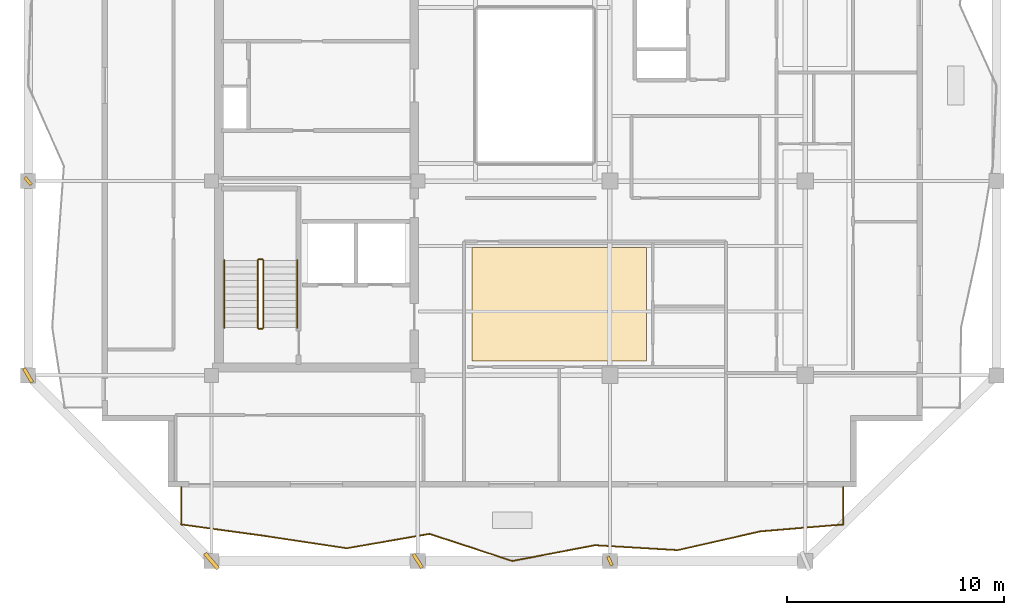
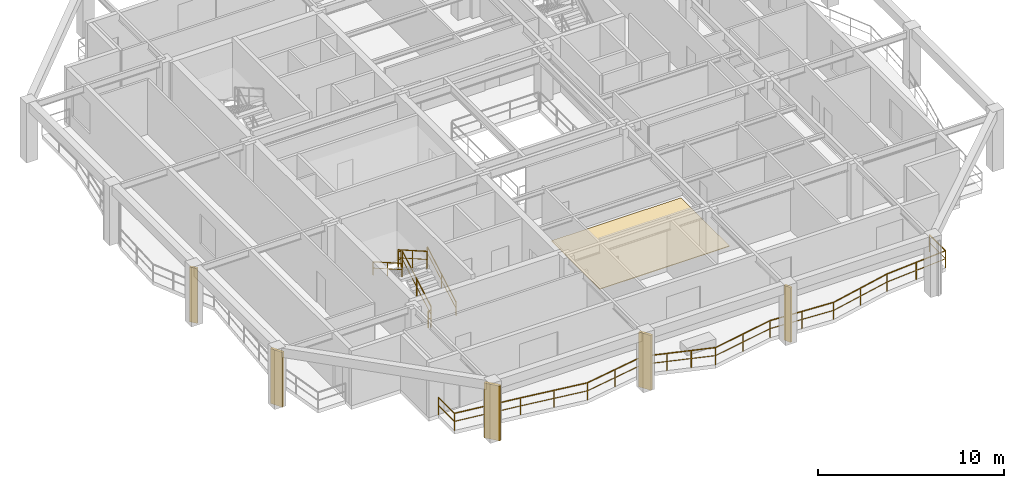
# One storey, part 7 of 10: 7 railings, 5 shading devices, 1 covering.
"""IFC4 building model written with IfcOpenShell, lengths in metres."""

import ifcopenshell
import ifcopenshell.guid

model = None  # the IFC model being written
_history = None  # IfcOwnerHistory: only IFC2X3 demands one
_inside = {}  # id of a spatial element -> (the spatial element, [elements in it])
_under = {}  # id of a project, library or spatial element -> (it, [spatial elements below it])
_declared = {}  # id of a project -> (the project, [libraries it declares])
_typed = {}  # id of a type object -> (the type object, [elements of that type])
_made_of = {}  # id of a material, layer set ... -> (it, [elements and type objects made of it])


def new_model(schema):
    """Start an empty IFC model of exactly this schema.

    Asked for "IFC4X3", IfcOpenShell would pick the latest addendum, in which some entities
    have other attributes; the version numbers below select the first issue.
    IFC2X3 requires an IfcOwnerHistory on every rooted entity: one is made here for all.
    """
    global model, _history
    if schema == "IFC4X3":
        model = ifcopenshell.file(schema_version=(4, 3, 0, 0))
    else:
        model = ifcopenshell.file(schema=schema)
    _inside.clear()
    _under.clear()
    _declared.clear()
    _typed.clear()
    _made_of.clear()
    _history = None
    if model.schema == "IFC2X3":
        org = make("IfcOrganization", Name="unknown")
        user = make(
            "IfcPersonAndOrganization",
            ThePerson=make("IfcPerson", FamilyName="unknown"),
            TheOrganization=org,
        )
        app = make(
            "IfcApplication",
            ApplicationDeveloper=org,
            Version="unknown",
            ApplicationFullName="unknown",
            ApplicationIdentifier="unknown",
        )
        _history = make(
            "IfcOwnerHistory",
            OwningUser=user,
            OwningApplication=app,
            ChangeAction="ADDED",
            CreationDate=0,
        )
    return model


def make(cls, **values):
    """One entity of the class cls with the attributes given. An attribute that is None is left unset."""
    return model.create_entity(
        cls, **{name: value for name, value in values.items() if value is not None}
    )


def rooted(cls, **values):
    """An entity with a GlobalId (a new one), such as an element, a storey or a relation."""
    return make(cls, GlobalId=ifcopenshell.guid.new(), OwnerHistory=_history, **values)


def si_unit(unit_type, name, prefix=None):
    """IfcSIUnit, for example si_unit("LENGTHUNIT", "METRE", prefix="MILLI")."""
    return make("IfcSIUnit", UnitType=unit_type, Prefix=prefix, Name=name)


def assignment(units):
    """IfcUnitAssignment: the units of a project."""
    return None if units is None else make("IfcUnitAssignment", Units=units)


def point(xyz):
    """IfcCartesianPoint."""
    return None if xyz is None else make("IfcCartesianPoint", Coordinates=xyz)


def direction(xyz):
    """IfcDirection."""
    return None if xyz is None else make("IfcDirection", DirectionRatios=xyz)


def frame(location, z_axis=None, x_axis=None):
    """IfcAxis2Placement3D, a coordinate frame: its origin and axes. An axis left out is left unset."""
    return make(
        "IfcAxis2Placement3D",
        Location=point(location),
        Axis=direction(z_axis),
        RefDirection=direction(x_axis),
    )


def frame_2d(location, x_axis=None):
    """IfcAxis2Placement2D, a coordinate frame in the plane: its origin and x axis."""
    return make(
        "IfcAxis2Placement2D", Location=point(location), RefDirection=direction(x_axis)
    )


def origin():
    """The frame at (0, 0, 0) with its axes left unset."""
    return frame((0.0, 0.0, 0.0))


def origin_2d():
    """The frame at (0, 0) in the plane with its x axis left unset."""
    return frame_2d((0.0, 0.0))


def place(relative_to, where):
    """IfcLocalPlacement: puts the frame where relative to a parent placement (None: the world)."""
    return make(
        "IfcLocalPlacement", PlacementRelTo=relative_to, RelativePlacement=where
    )


def context(
    kind, dimensions, precision=None, world=None, true_north=None, identifier=None
):
    """IfcGeometricRepresentationContext, for example the 3D "Model" context."""
    return make(
        "IfcGeometricRepresentationContext",
        ContextIdentifier=identifier,
        ContextType=kind,
        CoordinateSpaceDimension=dimensions,
        Precision=precision,
        WorldCoordinateSystem=world,
        TrueNorth=true_north,
    )


def subcontext(parent, identifier, kind, view, scale=None):
    """IfcGeometricRepresentationSubContext, for example "Body" below "Model"."""
    return make(
        "IfcGeometricRepresentationSubContext",
        ContextIdentifier=identifier,
        ContextType=kind,
        ParentContext=parent,
        TargetScale=scale,
        TargetView=view,
    )


def project(units=None, contexts=None):
    """IfcProject with its units and contexts."""
    return rooted(
        "IfcProject",
        Name="project",
        RepresentationContexts=contexts,
        UnitsInContext=assignment(units),
    )


def spatial(cls, under=None, at=None, **own):
    """A site, building, storey or space (cls), placed at a placement, below another one or the project."""
    s = rooted(cls, ObjectPlacement=at, **own)
    if under is not None:
        _under.setdefault(under.id(), (under, []))[1].append(s)
    return s


def polyline(points):
    """IfcPolyline through the points."""
    return make("IfcPolyline", Points=[point(p) for p in points])


def profile(cls, at=None, kind="AREA", **sizes):
    """A parametric profile (cls). Its sizes go by their IFC names, for example OverallWidth=200.0."""
    return make(cls, ProfileType=kind, Position=at, **sizes)


def rectangle(**sizes):
    """IfcRectangleProfileDef."""
    return profile("IfcRectangleProfileDef", **sizes)


def outline(outer, holes=None, kind="AREA"):
    """IfcArbitraryClosedProfileDef: a profile drawn as a closed curve; with holes, ...WithVoids."""
    if holes is None:
        return make("IfcArbitraryClosedProfileDef", ProfileType=kind, OuterCurve=outer)
    return make(
        "IfcArbitraryProfileDefWithVoids",
        ProfileType=kind,
        OuterCurve=outer,
        InnerCurves=holes,
    )


def extrude(swept, where, along, depth):
    """IfcExtrudedAreaSolid: the profile swept, set in the frame where, extruded along a direction by depth."""
    return make(
        "IfcExtrudedAreaSolid",
        SweptArea=swept,
        Position=where,
        ExtrudedDirection=direction(along),
        Depth=depth,
    )


def shape(context_of_items, identifier, shape_type, items):
    """IfcShapeRepresentation: the items that make up one representation, for example the "Body"."""
    return make(
        "IfcShapeRepresentation",
        ContextOfItems=context_of_items,
        RepresentationIdentifier=identifier,
        RepresentationType=shape_type,
        Items=items,
    )


def material(Name=None, Category=None):
    """IfcMaterial."""
    return make("IfcMaterial", Name=Name, Category=Category)


def layer(
    of_material, thickness, ventilated=None, Name=None, Category=None, Priority=None
):
    """IfcMaterialLayer: one layer of a wall or slab, of a material (None: an air gap)."""
    return make(
        "IfcMaterialLayer",
        Material=of_material,
        LayerThickness=thickness,
        IsVentilated=ventilated,
        Name=Name,
        Category=Category,
        Priority=Priority,
    )


def layer_set(layers, Name=None):
    """IfcMaterialLayerSet."""
    return make("IfcMaterialLayerSet", MaterialLayers=layers, LayerSetName=Name)


def made_of(thing, what):
    """Note that an element or type object is made of a material, layer set ...; save() writes the relation."""
    if what is not None:
        _made_of.setdefault(what.id(), (what, []))[1].append(thing)
    return thing


def type_object(cls, material=None, **own):
    """A type object (cls), such as IfcWallType, which elements share."""
    return made_of(rooted(cls, **own), material)


def element(
    cls,
    number,
    at=None,
    inside=None,
    cuts=None,
    type_object=None,
    material=None,
    context=None,
    identifier="Body",
    shape_type=None,
    held_by="IfcProductDefinitionShape",
    body=None,
    shapes=None,
    **own,
):
    """One element of the class cls, such as IfcWall. Its Tag is "e" and its number.

    at: its placement. inside: the storey or other place that contains it. cuts: it is an
    opening in that element (IfcRelVoidsElement). A single representation is given by context,
    identifier, shape_type and body (its items); several are given by shapes. held_by: the class
    of the entity that holds the representations. save() writes the other relations.
    """
    e = rooted(cls, Tag="e%d" % number, ObjectPlacement=at, **own)
    if body is not None:
        shapes = [shape(context, identifier, shape_type, body)]
    if shapes is not None:
        e.Representation = make(held_by, Representations=shapes)
    if inside is not None:
        _inside.setdefault(inside.id(), (inside, []))[1].append(e)
    if cuts is not None:
        rooted(
            "IfcRelVoidsElement", RelatingBuildingElement=cuts, RelatedOpeningElement=e
        )
    if type_object is not None:
        _typed.setdefault(type_object.id(), (type_object, []))[1].append(e)
    return made_of(e, material)


def aggregate(whole, parts):
    """IfcRelAggregates: a whole, such as a stair, and the parts it consists of."""
    return rooted("IfcRelAggregates", RelatingObject=whole, RelatedObjects=parts)


def save(model, path):
    """Write the relations noted so far, then the file.

    IfcRelAggregates (storeys below a building ...), IfcRelContainedInSpatialStructure (elements
    in a storey), IfcRelDefinesByType, IfcRelAssociatesMaterial and IfcRelDeclares: one each for
    every whole, place, type object, material and project.
    """
    for whole, parts in _under.values():
        aggregate(whole, parts)
    for where, things in _inside.values():
        rooted(
            "IfcRelContainedInSpatialStructure",
            RelatedElements=things,
            RelatingStructure=where,
        )
    for kind, things in _typed.values():
        rooted("IfcRelDefinesByType", RelatedObjects=things, RelatingType=kind)
    for what, things in _made_of.values():
        rooted("IfcRelAssociatesMaterial", RelatedObjects=things, RelatingMaterial=what)
    for by, libraries in _declared.values():
        rooted("IfcRelDeclares", RelatingContext=by, RelatedDefinitions=libraries)
    model.write(path)


model = new_model("IFC4")

# Units and contexts
model_context = context("Model", 3, precision=1e-05, world=origin(), true_north=direction((0.0, 1.0)))
body_context = subcontext(model_context, "Body", "Model", "MODEL_VIEW")
ifc_project = project(units=[si_unit("LENGTHUNIT", "METRE"), si_unit("AREAUNIT", "SQUARE_METRE"), si_unit("VOLUMEUNIT", "CUBIC_METRE"), si_unit("PLANEANGLEUNIT", "RADIAN"), si_unit("MASSUNIT", "GRAM", prefix="KILO")], contexts=[model_context])

# Site, building, storey
site_placement = place(None, origin())
site = spatial("IfcSite", under=ifc_project, at=site_placement, CompositionType="ELEMENT")
building_placement = place(site_placement, origin())
building = spatial("IfcBuilding", under=site, at=building_placement, Name="Kundavana Baori Tower", CompositionType="ELEMENT")
storey_placement = place(building_placement, frame((0.0, 0.0, 303.800048828125)))
storey = spatial("IfcBuildingStorey", under=building, at=storey_placement, Name="L75", CompositionType="ELEMENT", Elevation=303.800048828125)

# Covering
ifc_material_1 = material(Name="Honed Kota Stone and Terrazzo Flooring", Category="masonry")
ifc_layer = layer(ifc_material_1, 0.0400390625, Name="COV-FLR-TERR-40")
ifc_layer_set = layer_set([ifc_layer], Name="Honed Kota Stone and Terrazzo Flooring")
covering_type = type_object("IfcCoveringType", Name="COV-FLR-TERR-40", PredefinedType="FLOORING", material=ifc_layer_set)
covering_placement = place(storey_placement, origin())
element("IfcCovering", 1, at=covering_placement, inside=storey, type_object=covering_type, Name="L75 Room Finished Stone Flooring 1", PredefinedType="FLOORING", context=body_context, shape_type="SweptSolid", body=[
    extrude(outline(polyline([(27.43994140625, 15.919921875), (35.489990234375, 15.919921875), (35.489990234375, 21.139892578125), (27.43994140625, 21.139892578125), (27.43994140625, 15.919921875)])), origin(), (0.0, 0.0, 1.0), 0.0400390625),
])

# Railings
ifc_material_2 = material(Name="Architectural Patinated Bronze Metalwork")
railing_type_1 = type_object("IfcRailingType", Name="RL-BAL-1150", PredefinedType="BALUSTRADE", material=ifc_material_2)
railing_1_placement = place(storey_placement, frame((44.550048828125, 10.10009765625, 0.0)))
element("IfcRailing", 2, at=railing_1_placement, inside=storey, type_object=railing_type_1, Name="L75 Loggia Balcony Balustrade S", PredefinedType="BALUSTRADE", context=body_context, shape_type="SweptSolid", body=[
    extrude(rectangle(XDim=0.048095703125, YDim=0.048095703125, at=origin_2d()), frame((0.0, 0.0, 1.1259765625), z_axis=(0.0, -1.0, 0.0), x_axis=(1.0, 0.0, 0.0)), (0.0, 0.0, 1.0), 1.72021484375),
    extrude(rectangle(XDim=0.03125, YDim=0.03125, at=origin_2d()), frame((0.0, 0.0, 0.597900390625), z_axis=(0.0, -1.0, 0.0), x_axis=(1.0, 0.0, 0.0)), (0.0, 0.0, 1.0), 1.72021484375),
    extrude(rectangle(XDim=0.048095703125, YDim=0.048095703125, at=origin_2d()), frame((0.0, -1.72021484375, 1.1259765625), z_axis=(-0.996564216083, -0.08282368757, 0.0), x_axis=(0.08282368757, -0.996564216083, 0.0)), (0.0, 0.0, 1.0), 3.826171875),
    extrude(rectangle(XDim=0.03125, YDim=0.03125, at=origin_2d()), frame((0.0, -1.72021484375, 0.597900390625), z_axis=(-0.996564216083, -0.08282368757, 0.0), x_axis=(0.08282368757, -0.996564216083, 0.0)), (0.0, 0.0, 1.0), 3.826171875),
    extrude(rectangle(XDim=0.048095703125, YDim=0.048095703125, at=origin_2d()), frame((-3.81298828125, -2.037109375, 1.1259765625), z_axis=(-0.975154936802, -0.221523924737, 0.0), x_axis=(0.221523924737, -0.975154936802, 0.0)), (0.0, 0.0, 1.0), 3.9091796875),
    extrude(rectangle(XDim=0.03125, YDim=0.03125, at=origin_2d()), frame((-3.81298828125, -2.037109375, 0.597900390625), z_axis=(-0.975154936802, -0.221523924737, 0.0), x_axis=(0.221523924737, -0.975154936802, 0.0)), (0.0, 0.0, 1.0), 3.9091796875),
    extrude(rectangle(XDim=0.048095703125, YDim=0.048095703125, at=origin_2d()), frame((-7.625, -2.903076171875, 1.1259765625), z_axis=(-0.998246935271, 0.059186621979, 0.0), x_axis=(-0.059186621979, -0.998246935271, 0.0)), (0.0, 0.0, 1.0), 3.819580078125),
    extrude(rectangle(XDim=0.03125, YDim=0.03125, at=origin_2d()), frame((-7.625, -2.903076171875, 0.597900390625), z_axis=(-0.998246935271, 0.059186621979, 0.0), x_axis=(-0.059186621979, -0.998246935271, 0.0)), (0.0, 0.0, 1.0), 3.819580078125),
    extrude(rectangle(XDim=0.048095703125, YDim=0.048095703125, at=origin_2d()), frame((-11.43798828125, -2.677001953125, 1.1259765625), z_axis=(-0.98247818175, -0.186377633812, 0.0), x_axis=(0.186377633812, -0.98247818175, 0.0)), (0.0, 0.0, 1.0), 3.8798828125),
    extrude(rectangle(XDim=0.03125, YDim=0.03125, at=origin_2d()), frame((-11.43798828125, -2.677001953125, 0.597900390625), z_axis=(-0.98247818175, -0.186377633812, 0.0), x_axis=(0.186377633812, -0.98247818175, 0.0)), (0.0, 0.0, 1.0), 3.8798828125),
    extrude(rectangle(XDim=0.048095703125, YDim=0.048095703125, at=origin_2d()), frame((-15.25, -3.400146484375, 1.1259765625), z_axis=(-0.950601058119, 0.310415251403, 0.0), x_axis=(-0.310415251403, -0.950601058119, 0.0)), (0.0, 0.0, 1.0), 4.01123046875),
    extrude(rectangle(XDim=0.03125, YDim=0.03125, at=origin_2d()), frame((-15.25, -3.400146484375, 0.597900390625), z_axis=(-0.950601058119, 0.310415251403, 0.0), x_axis=(-0.310415251403, -0.950601058119, 0.0)), (0.0, 0.0, 1.0), 4.01123046875),
    extrude(rectangle(XDim=0.048095703125, YDim=0.048095703125, at=origin_2d()), frame((-19.06298828125, -2.155029296875, 1.1259765625), z_axis=(-0.985291308729, -0.170883109007, 0.0), x_axis=(0.170883109007, -0.985291308729, 0.0)), (0.0, 0.0, 1.0), 3.868896484375),
    extrude(rectangle(XDim=0.03125, YDim=0.03125, at=origin_2d()), frame((-19.06298828125, -2.155029296875, 0.597900390625), z_axis=(-0.985291308729, -0.170883109007, 0.0), x_axis=(0.170883109007, -0.985291308729, 0.0)), (0.0, 0.0, 1.0), 3.868896484375),
    extrude(rectangle(XDim=0.048095703125, YDim=0.048095703125, at=origin_2d()), frame((-22.875, -2.816162109375, 1.1259765625), z_axis=(-0.988853512519, 0.148891674647, 0.0), x_axis=(-0.148891674647, -0.988853512519, 0.0)), (0.0, 0.0, 1.0), 3.85498046875),
    extrude(rectangle(XDim=0.03125, YDim=0.03125, at=origin_2d()), frame((-22.875, -2.816162109375, 0.597900390625), z_axis=(-0.988853512519, 0.148891674647, 0.0), x_axis=(-0.148891674647, -0.988853512519, 0.0)), (0.0, 0.0, 1.0), 3.85498046875),
    extrude(rectangle(XDim=0.048095703125, YDim=0.048095703125, at=origin_2d()), frame((-26.68701171875, -2.2421875, 1.1259765625), z_axis=(-0.990759777242, 0.135628403364, 0.0), x_axis=(-0.135628403364, -0.990759777242, 0.0)), (0.0, 0.0, 1.0), 3.8486328125),
    extrude(rectangle(XDim=0.03125, YDim=0.03125, at=origin_2d()), frame((-26.68701171875, -2.2421875, 0.597900390625), z_axis=(-0.990759777242, 0.135628403364, 0.0), x_axis=(-0.135628403364, -0.990759777242, 0.0)), (0.0, 0.0, 1.0), 3.8486328125),
    extrude(rectangle(XDim=0.048095703125, YDim=0.048095703125, at=origin_2d()), frame((-30.5, -1.72021484375, 1.1259765625), z_axis=(0.0, 1.0, 0.0), x_axis=(-1.0, 0.0, 0.0)), (0.0, 0.0, 1.0), 1.72021484375),
    extrude(rectangle(XDim=0.03125, YDim=0.03125, at=origin_2d()), frame((-30.5, -1.72021484375, 0.597900390625), z_axis=(0.0, 1.0, 0.0), x_axis=(-1.0, 0.0, 0.0)), (0.0, 0.0, 1.0), 1.72021484375),
    extrude(rectangle(XDim=0.0419921875, YDim=0.0419921875, at=origin_2d()), origin(), (0.0, 0.0, 1.0), 1.101806640625),
    extrude(rectangle(XDim=0.0419921875, YDim=0.0419921875, at=origin_2d()), frame((0.0, -1.72021484375, 0.0)), (0.0, 0.0, 1.0), 1.101806640625),
    extrude(rectangle(XDim=0.0419921875, YDim=0.0419921875, at=origin_2d()), frame((-1.906494140625, -1.878662109375, 0.0)), (0.0, 0.0, 1.0), 1.101806640625),
    extrude(rectangle(XDim=0.0419921875, YDim=0.0419921875, at=origin_2d()), frame((-3.81298828125, -2.037109375, 0.0)), (0.0, 0.0, 1.0), 1.101806640625),
    extrude(rectangle(XDim=0.0419921875, YDim=0.0419921875, at=origin_2d()), frame((-5.718994140625, -2.47021484375, 0.0)), (0.0, 0.0, 1.0), 1.101806640625),
    extrude(rectangle(XDim=0.0419921875, YDim=0.0419921875, at=origin_2d()), frame((-7.625, -2.903076171875, 0.0)), (0.0, 0.0, 1.0), 1.101806640625),
    extrude(rectangle(XDim=0.0419921875, YDim=0.0419921875, at=origin_2d()), frame((-9.531494140625, -2.7900390625, 0.0)), (0.0, 0.0, 1.0), 1.101806640625),
    extrude(rectangle(XDim=0.0419921875, YDim=0.0419921875, at=origin_2d()), frame((-11.43798828125, -2.677001953125, 0.0)), (0.0, 0.0, 1.0), 1.101806640625),
    extrude(rectangle(XDim=0.0419921875, YDim=0.0419921875, at=origin_2d()), frame((-13.343994140625, -3.03857421875, 0.0)), (0.0, 0.0, 1.0), 1.101806640625),
    extrude(rectangle(XDim=0.0419921875, YDim=0.0419921875, at=origin_2d()), frame((-15.25, -3.400146484375, 0.0)), (0.0, 0.0, 1.0), 1.101806640625),
    extrude(rectangle(XDim=0.0419921875, YDim=0.0419921875, at=origin_2d()), frame((-16.52099609375, -2.985107421875, 0.0)), (0.0, 0.0, 1.0), 1.101806640625),
    extrude(rectangle(XDim=0.0419921875, YDim=0.0419921875, at=origin_2d()), frame((-17.7919921875, -2.570068359375, 0.0)), (0.0, 0.0, 1.0), 1.101806640625),
    extrude(rectangle(XDim=0.0419921875, YDim=0.0419921875, at=origin_2d()), frame((-19.06298828125, -2.155029296875, 0.0)), (0.0, 0.0, 1.0), 1.101806640625),
    extrude(rectangle(XDim=0.0419921875, YDim=0.0419921875, at=origin_2d()), frame((-20.968994140625, -2.485595703125, 0.0)), (0.0, 0.0, 1.0), 1.101806640625),
    extrude(rectangle(XDim=0.0419921875, YDim=0.0419921875, at=origin_2d()), frame((-22.875, -2.816162109375, 0.0)), (0.0, 0.0, 1.0), 1.101806640625),
    extrude(rectangle(XDim=0.0419921875, YDim=0.0419921875, at=origin_2d()), frame((-24.781005859375, -2.529296875, 0.0)), (0.0, 0.0, 1.0), 1.101806640625),
    extrude(rectangle(XDim=0.0419921875, YDim=0.0419921875, at=origin_2d()), frame((-26.68701171875, -2.2421875, 0.0)), (0.0, 0.0, 1.0), 1.101806640625),
    extrude(rectangle(XDim=0.0419921875, YDim=0.0419921875, at=origin_2d()), frame((-28.593505859375, -1.981201171875, 0.0)), (0.0, 0.0, 1.0), 1.101806640625),
    extrude(rectangle(XDim=0.0419921875, YDim=0.0419921875, at=origin_2d()), frame((-30.5, -1.72021484375, 0.0)), (0.0, 0.0, 1.0), 1.101806640625),
    extrude(rectangle(XDim=0.0419921875, YDim=0.0419921875, at=origin_2d()), frame((-30.5, 0.0, 0.0)), (0.0, 0.0, 1.0), 1.101806640625),
])
ifc_material_3 = material(Name="Architectural Patinated Bronze Metalwork")
railing_type_2 = type_object("IfcRailingType", Name="RL-GRD-1150", PredefinedType="GUARDRAIL", material=ifc_material_3)
railing_2_placement = place(storey_placement, frame((17.840087890625, 17.449951171875, 0.17724609375)))
element("IfcRailing", 3, at=railing_2_placement, inside=storey, type_object=railing_type_2, Name="L75 ST1 stair guard 1", PredefinedType="GUARDRAIL", context=body_context, shape_type="SweptSolid", body=[
    extrude(rectangle(XDim=0.048095703125, YDim=0.048095703125, at=origin_2d()), frame((0.0, 0.0, 1.1259765625), z_axis=(0.0, 0.868095856688, 0.496396599103), x_axis=(-1.0, 0.0, 0.0)), (0.0, 0.0, 1.0), 3.571044921875),
    extrude(rectangle(XDim=0.03125, YDim=0.03125, at=origin_2d()), frame((0.0, 0.0, 0.597900390625), z_axis=(0.0, 0.868095856688, 0.496396599103), x_axis=(-1.0, 0.0, 0.0)), (0.0, 0.0, 1.0), 3.571044921875),
    extrude(rectangle(XDim=0.0419921875, YDim=0.0419921875, at=origin_2d()), origin(), (0.0, 0.0, 1.0), 1.101806640625),
    extrude(rectangle(XDim=0.0419921875, YDim=0.0419921875, at=origin_2d()), frame((0.0, 1.550048828125, 0.88623046875)), (0.0, 0.0, 1.0), 1.101806640625),
    extrude(rectangle(XDim=0.0419921875, YDim=0.0419921875, at=origin_2d()), frame((0.0, 3.10009765625, 1.772705078125)), (0.0, 0.0, 1.0), 1.101806640625),
])
railing_3_placement = place(storey_placement, frame((17.7900390625, 20.60009765625, 1.949951171875)))
element("IfcRailing", 4, at=railing_3_placement, inside=storey, type_object=railing_type_2, Name="L75 ST1 stair guard 2", PredefinedType="GUARDRAIL", context=body_context, shape_type="SweptSolid", body=[
    extrude(rectangle(XDim=0.048095703125, YDim=0.048095703125, at=origin_2d()), frame((0.0, 0.0, 1.1259765625), z_axis=(-1.0, 0.0, 0.0), x_axis=(0.0, -1.0, 0.0)), (0.0, 0.0, 1.0), 0.16015625),
    extrude(rectangle(XDim=0.03125, YDim=0.03125, at=origin_2d()), frame((0.0, 0.0, 0.597900390625), z_axis=(-1.0, 0.0, 0.0), x_axis=(0.0, -1.0, 0.0)), (0.0, 0.0, 1.0), 0.16015625),
    extrude(rectangle(XDim=0.0419921875, YDim=0.0419921875, at=origin_2d()), origin(), (0.0, 0.0, 1.0), 1.101806640625),
    extrude(rectangle(XDim=0.0419921875, YDim=0.0419921875, at=origin_2d()), frame((-0.16015625, 0.0, 0.0)), (0.0, 0.0, 1.0), 1.101806640625),
])
railing_4_placement = place(storey_placement, frame((17.580078125, 20.550048828125, 2.127197265625)))
element("IfcRailing", 5, at=railing_4_placement, inside=storey, type_object=railing_type_2, Name="L75 ST1 stair guard 3", PredefinedType="GUARDRAIL", context=body_context, shape_type="SweptSolid", body=[
    extrude(rectangle(XDim=0.048095703125, YDim=0.048095703125, at=origin_2d()), frame((0.0, 0.0, 1.1259765625), z_axis=(0.0, -0.868095856688, 0.496396599103), x_axis=(1.0, 0.0, 0.0)), (0.0, 0.0, 1.0), 3.571044921875),
    extrude(rectangle(XDim=0.03125, YDim=0.03125, at=origin_2d()), frame((0.0, 0.0, 0.597900390625), z_axis=(0.0, -0.868095856688, 0.496396599103), x_axis=(1.0, 0.0, 0.0)), (0.0, 0.0, 1.0), 3.571044921875),
    extrude(rectangle(XDim=0.0419921875, YDim=0.0419921875, at=origin_2d()), origin(), (0.0, 0.0, 1.0), 1.101806640625),
    extrude(rectangle(XDim=0.0419921875, YDim=0.0419921875, at=origin_2d()), frame((0.0, -1.550048828125, 0.88623046875)), (0.0, 0.0, 1.0), 1.101806640625),
    extrude(rectangle(XDim=0.0419921875, YDim=0.0419921875, at=origin_2d()), frame((0.0, -3.10009765625, 1.772705078125)), (0.0, 0.0, 1.0), 1.101806640625),
])
railing_5_placement = place(storey_placement, frame((17.7900390625, 17.39990234375, 0.0)))
element("IfcRailing", 6, at=railing_5_placement, inside=storey, type_object=railing_type_2, Name="L75 ST1 stair guard 4", PredefinedType="GUARDRAIL", context=body_context, shape_type="SweptSolid", body=[
    extrude(rectangle(XDim=0.048095703125, YDim=0.048095703125, at=origin_2d()), frame((0.0, 0.0, 1.1259765625), z_axis=(-1.0, 0.0, 0.0), x_axis=(0.0, -1.0, 0.0)), (0.0, 0.0, 1.0), 0.16015625),
    extrude(rectangle(XDim=0.03125, YDim=0.03125, at=origin_2d()), frame((0.0, 0.0, 0.597900390625), z_axis=(-1.0, 0.0, 0.0), x_axis=(0.0, -1.0, 0.0)), (0.0, 0.0, 1.0), 0.16015625),
    extrude(rectangle(XDim=0.0419921875, YDim=0.0419921875, at=origin_2d()), origin(), (0.0, 0.0, 1.0), 1.101806640625),
    extrude(rectangle(XDim=0.0419921875, YDim=0.0419921875, at=origin_2d()), frame((-0.16015625, 0.0, 0.0)), (0.0, 0.0, 1.0), 1.101806640625),
])
ifc_material_4 = material(Name="Architectural Patinated Bronze Metalwork")
railing_type_3 = type_object("IfcRailingType", Name="RL-HND-920", PredefinedType="HANDRAIL", material=ifc_material_4)
railing_6_placement = place(storey_placement, frame((19.389892578125, 17.449951171875, 0.17724609375)))
element("IfcRailing", 7, at=railing_6_placement, inside=storey, type_object=railing_type_3, Name="L75 ST1 stair handrail 1", PredefinedType="HANDRAIL", context=body_context, shape_type="SweptSolid", body=[
    extrude(rectangle(XDim=0.048095703125, YDim=0.048095703125, at=origin_2d()), frame((0.0, 0.0, 0.8759765625), z_axis=(0.0, 0.868095856688, 0.496396599103), x_axis=(-1.0, 0.0, 0.0)), (0.0, 0.0, 1.0), 3.571044921875),
    extrude(rectangle(XDim=0.03125, YDim=0.03125, at=origin_2d()), frame((0.0, 0.0, 0.468017578125), z_axis=(0.0, 0.868095856688, 0.496396599103), x_axis=(-1.0, 0.0, 0.0)), (0.0, 0.0, 1.0), 3.571044921875),
    extrude(rectangle(XDim=0.0419921875, YDim=0.0419921875, at=origin_2d()), origin(), (0.0, 0.0, 1.0), 0.851806640625),
    extrude(rectangle(XDim=0.0419921875, YDim=0.0419921875, at=origin_2d()), frame((0.0, 1.550048828125, 0.88623046875)), (0.0, 0.0, 1.0), 0.851806640625),
    extrude(rectangle(XDim=0.0419921875, YDim=0.0419921875, at=origin_2d()), frame((0.0, 3.10009765625, 1.772705078125)), (0.0, 0.0, 1.0), 0.851806640625),
])
railing_7_placement = place(storey_placement, frame((16.030029296875, 20.550048828125, 2.127197265625)))
element("IfcRailing", 8, at=railing_7_placement, inside=storey, type_object=railing_type_3, Name="L75 ST1 stair handrail 2", PredefinedType="HANDRAIL", context=body_context, shape_type="SweptSolid", body=[
    extrude(rectangle(XDim=0.048095703125, YDim=0.048095703125, at=origin_2d()), frame((0.0, 0.0, 0.8759765625), z_axis=(0.0, -0.868095856688, 0.496396599103), x_axis=(1.0, 0.0, 0.0)), (0.0, 0.0, 1.0), 3.571044921875),
    extrude(rectangle(XDim=0.03125, YDim=0.03125, at=origin_2d()), frame((0.0, 0.0, 0.468017578125), z_axis=(0.0, -0.868095856688, 0.496396599103), x_axis=(1.0, 0.0, 0.0)), (0.0, 0.0, 1.0), 3.571044921875),
    extrude(rectangle(XDim=0.0419921875, YDim=0.0419921875, at=origin_2d()), origin(), (0.0, 0.0, 1.0), 0.851806640625),
    extrude(rectangle(XDim=0.0419921875, YDim=0.0419921875, at=origin_2d()), frame((0.0, -1.550048828125, 0.88623046875)), (0.0, 0.0, 1.0), 0.851806640625),
    extrude(rectangle(XDim=0.0419921875, YDim=0.0419921875, at=origin_2d()), frame((0.0, -3.10009765625, 1.772705078125)), (0.0, 0.0, 1.0), 0.851806640625),
])

# Shading devices
ifc_material_5 = material(Name="Red-Buff Dholpur Sandstone Cladding on Concrete C40/50", Category="masonry")
shading_device_type_1 = type_object("IfcShadingDeviceType", Name="SHD-FIN-750", PredefinedType="JALOUSIE", material=ifc_material_5)
for number, where, z_axis, x_axis, name in (
    (9, (24.949951171875, 6.699951171875, 0.0), (0.0, 0.0, 1.0), (0.845820942125, 0.533466900438, 0.0), "L75 Sweeping Dholpur Sandstone Facade Fin 2"),
    (10, (7.0, 15.25, 0.0), (0.0, 0.0, 1.0), (0.862954938496, 0.505280886365, 0.0), "L75 Sweeping Dholpur Sandstone Facade Fin 5"),
):
    element("IfcShadingDevice", number, at=place(storey_placement, frame(where, z_axis=z_axis, x_axis=x_axis)), inside=storey, type_object=shading_device_type_1, Name=name, PredefinedType="JALOUSIE", context=body_context, shape_type="SweptSolid", body=[
        extrude(rectangle(XDim=0.159912109375, YDim=0.75, at=origin_2d()), origin(), (0.0, 0.0, 1.0), 3.60009765625),
    ])
ifc_material_6 = material(Name="Red-Buff Dholpur Sandstone Cladding on Concrete C40/50", Category="masonry")
shading_device_type_2 = type_object("IfcShadingDeviceType", Name="SHD-FIN-920", PredefinedType="JALOUSIE", material=ifc_material_6)
shading_device_placement = place(storey_placement, frame((15.449951171875, 6.699951171875, 0.0), z_axis=(0.0, 0.0, 1.0), x_axis=(0.75995238006, 0.649978753531, 0.0)))
element("IfcShadingDevice", 11, at=shading_device_placement, inside=storey, type_object=shading_device_type_2, Name="L75 Sweeping Dholpur Sandstone Facade Fin 1", PredefinedType="JALOUSIE", context=body_context, shape_type="SweptSolid", body=[
    extrude(rectangle(XDim=0.179931640625, YDim=0.919921875, at=origin_2d()), origin(), (0.0, 0.0, 1.0), 3.60009765625),
])
ifc_material_7 = material(Name="Architectural Patinated Bronze Metalwork")
shading_device_type_3 = type_object("IfcShadingDeviceType", Name="SHD-LOUV-450", PredefinedType="SHUTTER", material=ifc_material_7)
for number, where, z_axis, x_axis, name in (
    (12, (33.800048828125, 6.699951171875, 0.0), (0.0, 0.0, 1.0), (0.915522231315, 0.402267378703, 0.0), "L75 Sweeping Dholpur Sandstone Facade Fin 3"),
    (13, (7.0, 24.199951171875, 0.0), (0.0, 0.0, 1.0), (0.772622780355, 0.634865370985, 0.0), "L75 Sweeping Dholpur Sandstone Facade Fin 6"),
):
    element("IfcShadingDevice", number, at=place(storey_placement, frame(where, z_axis=z_axis, x_axis=x_axis)), inside=storey, type_object=shading_device_type_3, Name=name, PredefinedType="SHUTTER", context=body_context, shape_type="SweptSolid", body=[
        extrude(rectangle(XDim=0.139892578125, YDim=0.449951171875, at=origin_2d()), origin(), (0.0, 0.0, 1.0), 3.60009765625),
    ])

save(model, "model.ifc")
